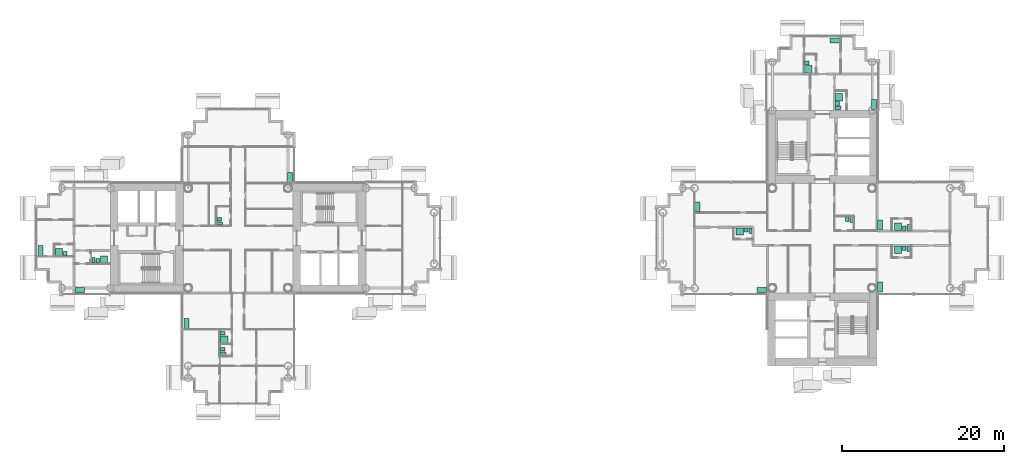
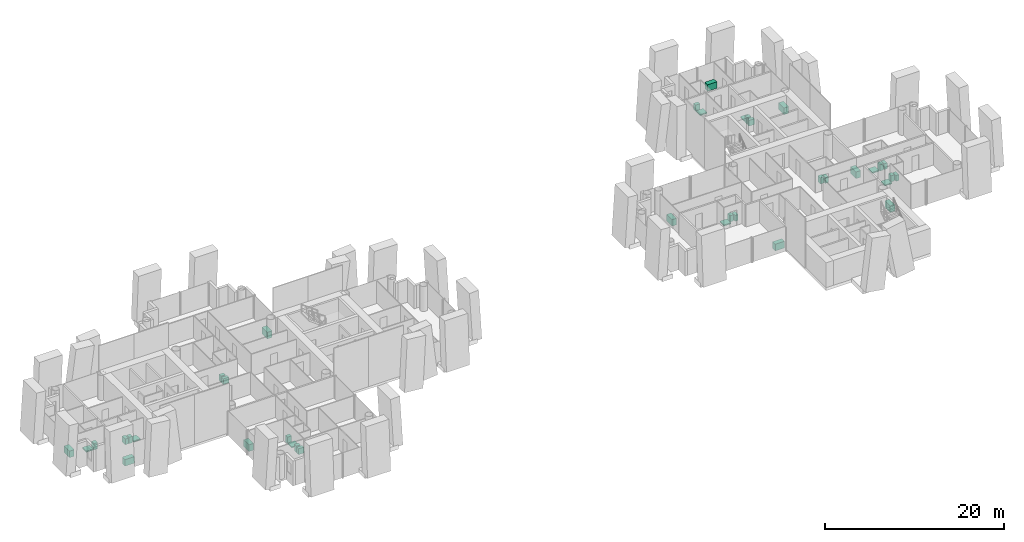
# One storey, part 21 of 21: 37 sanitary terminals.
"""IFC4 building model written with IfcOpenShell, lengths in metres."""

from ifc_helpers import new_model, si_unit, direction, frame, origin, origin_2d, place, context, subcontext, project, spatial, rectangle, extrude, material, type_object, element, save


model = new_model("IFC4")

# Units and contexts
model_context = context("Model", 3, precision=1e-05, world=origin(), true_north=direction((0.0, 1.0)))
body_context = subcontext(model_context, "Body", "Model", "MODEL_VIEW")
ifc_project = project(units=[si_unit("LENGTHUNIT", "METRE"), si_unit("AREAUNIT", "SQUARE_METRE"), si_unit("VOLUMEUNIT", "CUBIC_METRE"), si_unit("PLANEANGLEUNIT", "RADIAN"), si_unit("MASSUNIT", "GRAM", prefix="KILO")], contexts=[model_context])

# Site, building, storey
site_placement = place(None, origin())
site = spatial("IfcSite", under=ifc_project, at=site_placement, CompositionType="ELEMENT")
building_placement = place(site_placement, origin())
building = spatial("IfcBuilding", under=site, at=building_placement, Name="Ipe Terrace Towers", CompositionType="ELEMENT")
storey_placement = place(building_placement, frame((0.0, 0.0, 86.800048828125)))
storey = spatial("IfcBuildingStorey", under=building, at=storey_placement, Name="L23", CompositionType="ELEMENT", Elevation=86.800048828125)

# Sanitary terminals
ifc_material_1 = material(Name="Stainless sink unit", Category="metal")
sanitary_terminal_type_1 = type_object("IfcSanitaryTerminalType", Name="Kitchen sink unit", PredefinedType="SINK", material=ifc_material_1)
for number, where, z_axis, x_axis, name in (
    (1, (-29.6201171875, 7.469970703125, 0.0), (0.0, 0.0, 1.0), (0.0, -1.0, 0.0), "Kitchen sink unit"),
    (2, (-42.3798828125, -10.530029296875, 0.0), (0.0, 0.0, 1.0), (0.0, 1.0, 0.0), "Kitchen sink unit"),
    (3, (-55.530029296875, -6.3798828125, 0.0), (0.0, 0.0, 1.0), (-1.0, 0.0, 0.0), "Kitchen sink unit"),
    (4, (-60.3798828125, -1.530029296875, 0.0), (0.0, 0.0, 1.0), (0.0, 1.0, 0.0), "Kitchen sink unit"),
    (5, (28.530029296875, -6.3798828125, 0.0), (0.0, 0.0, 1.0), (-1.0, 0.0, 0.0), "Kitchen sink unit"),
    (6, (20.6201171875, 3.8701171875, 0.0), (0.0, 0.0, 1.0), (0.0, 1.0, 0.0), "Kitchen sink unit"),
    (7, (43.1201171875, 1.6201171875, 0.0), (0.0, 0.0, 1.0), (0.0, 1.0, 0.0), "Kitchen sink unit"),
    (8, (43.1201171875, -6.030029296875, 0.0), (0.0, 0.0, 1.0), (0.0, 1.0, 0.0), "Kitchen sink unit"),
    (9, (42.3798828125, 16.469970703125, 0.0), (0.0, 0.0, 1.0), (0.0, -1.0, 0.0), "Kitchen sink unit"),
    (10, (37.530029296875, 24.3798828125, 0.0), (0.0, 0.0, 1.0), (1.0, 0.0, 0.0), "Kitchen sink unit"),
):
    element("IfcSanitaryTerminal", number, at=place(storey_placement, frame(where, z_axis=z_axis, x_axis=x_axis)), inside=storey, type_object=sanitary_terminal_type_1, Name=name, PredefinedType="SINK", context=body_context, shape_type="SweptSolid", body=[
        extrude(rectangle(XDim=1.199951171875, YDim=0.60009765625, at=origin_2d()), origin(), (0.0, 0.0, 1.0), 0.89990234375),
    ])
ifc_material_2 = material(Name="Acrylic", Category="plastic")
sanitary_terminal_type_2 = type_object("IfcSanitaryTerminalType", Name="Shower tray", PredefinedType="SHOWER", material=ifc_material_2)
for number, where, z_axis, x_axis, name in (
    (11, (-37.72998046875, -12.47998046875, 0.0), (0.0, 0.0, 1.0), (1.0, 0.0, 0.0), "Shower tray"),
    (12, (-52.530029296875, -2.6298828125, 0.0), (0.0, 0.0, 1.0), (0.0, 1.0, 0.0), "Shower tray"),
    (13, (-58.080078125, -1.72998046875, 0.0), (0.0, 0.0, 1.0), (0.0, 1.0, 0.0), "Shower tray"),
    (14, (25.830078125, 0.830078125, 0.0), (0.0, 0.0, 1.0), (0.0, -1.0, 0.0), "Shower tray"),
    (15, (45.330078125, 1.419921875, 0.0), (0.0, 0.0, 1.0), (0.0, 1.0, 0.0), "Shower tray"),
    (16, (45.330078125, -1.419921875, 0.0), (0.0, 0.0, 1.0), (0.0, -1.0, 0.0), "Shower tray"),
    (17, (38.02001953125, 17.3701171875, 0.0), (0.0, 0.0, 1.0), (1.0, 0.0, 0.0), "Shower tray"),
    (18, (34.27001953125, 20.820068359375, 0.0), (0.0, 0.0, 1.0), (1.0, 0.0, 0.0), "Shower tray"),
):
    element("IfcSanitaryTerminal", number, at=place(storey_placement, frame(where, z_axis=z_axis, x_axis=x_axis)), inside=storey, type_object=sanitary_terminal_type_2, Name=name, PredefinedType="SHOWER", context=body_context, shape_type="SweptSolid", body=[
        extrude(rectangle(XDim=0.89990234375, YDim=0.89990234375, at=origin_2d()), origin(), (0.0, 0.0, 1.0), 0.14990234375),
    ])
ifc_material_3 = material(Name="Vitreous china", Category="ceramic")
sanitary_terminal_type_3 = type_object("IfcSanitaryTerminalType", Name="Wash basin", PredefinedType="WASHHANDBASIN", material=ifc_material_3)
for number, where, z_axis, x_axis, name in (
    (19, (-38.35498046875, 2.344970703125, 0.0), (0.0, 0.0, 1.0), (1.0, 0.0, 0.0), "Wash basin"),
    (20, (-37.905029296875, -11.705078125, 0.0), (0.0, 0.0, 1.0), (1.0, 0.0, 0.0), "Wash basin"),
    (21, (-37.905029296875, -13.705078125, 0.0), (0.0, 0.0, 1.0), (1.0, 0.0, 0.0), "Wash basin"),
    (22, (-53.304931640625, -2.804931640625, 0.0), (0.0, 0.0, 1.0), (0.0, 1.0, 0.0), "Wash basin"),
    (23, (-57.304931640625, -1.905029296875, 0.0), (0.0, 0.0, 1.0), (0.0, 1.0, 0.0), "Wash basin"),
    (24, (39.054931640625, 2.35498046875, 0.0), (0.0, 0.0, 1.0), (0.0, -1.0, 0.0), "Wash basin"),
    (25, (26.60498046875, 1.0048828125, 0.0), (0.0, 0.0, 1.0), (0.0, -1.0, 0.0), "Wash basin"),
    (26, (46.10498046875, 1.2451171875, 0.0), (0.0, 0.0, 1.0), (0.0, 1.0, 0.0), "Wash basin"),
    (27, (46.10498046875, -1.2451171875, 0.0), (0.0, 0.0, 1.0), (0.0, -1.0, 0.0), "Wash basin"),
    (28, (37.844970703125, 16.594970703125, 0.0), (0.0, 0.0, 1.0), (1.0, 0.0, 0.0), "Wash basin"),
    (29, (34.094970703125, 21.594970703125, 0.0), (0.0, 0.0, 1.0), (1.0, 0.0, 0.0), "Wash basin"),
):
    element("IfcSanitaryTerminal", number, at=place(storey_placement, frame(where, z_axis=z_axis, x_axis=x_axis)), inside=storey, type_object=sanitary_terminal_type_3, Name=name, PredefinedType="WASHHANDBASIN", context=body_context, shape_type="SweptSolid", body=[
        extrude(rectangle(XDim=0.550048828125, YDim=0.449951171875, at=origin_2d()), origin(), (0.0, 0.0, 1.0), 0.85009765625),
    ])
ifc_material_4 = material(Name="Vitreous china", Category="ceramic")
sanitary_terminal_type_4 = type_object("IfcSanitaryTerminalType", Name="Water closet", PredefinedType="TOILETPAN", material=ifc_material_4)
for number, where, z_axis, x_axis, name in (
    (30, (-38.280029296875, 1.820068359375, 0.0), (0.0, 0.0, 1.0), (1.0, 0.0, 0.0), "Water closet"),
    (31, (-37.830078125, -14.22998046875, 0.0), (0.0, 0.0, 1.0), (1.0, 0.0, 0.0), "Water closet"),
    (32, (-53.830078125, -2.72998046875, 0.0), (0.0, 0.0, 1.0), (0.0, 1.0, 0.0), "Water closet"),
    (33, (39.580078125, 2.280029296875, 0.0), (0.0, 0.0, 1.0), (0.0, -1.0, 0.0), "Water closet"),
    (34, (27.1298828125, 0.929931640625, 0.0), (0.0, 0.0, 1.0), (0.0, -1.0, 0.0), "Water closet"),
    (35, (46.6298828125, 1.320068359375, 0.0), (0.0, 0.0, 1.0), (0.0, 1.0, 0.0), "Water closet"),
    (36, (46.6298828125, -1.320068359375, 0.0), (0.0, 0.0, 1.0), (0.0, -1.0, 0.0), "Water closet"),
    (37, (37.919921875, 16.070068359375, 0.0), (0.0, 0.0, 1.0), (1.0, 0.0, 0.0), "Water closet"),
):
    element("IfcSanitaryTerminal", number, at=place(storey_placement, frame(where, z_axis=z_axis, x_axis=x_axis)), inside=storey, type_object=sanitary_terminal_type_4, Name=name, PredefinedType="TOILETPAN", context=body_context, shape_type="SweptSolid", body=[
        extrude(rectangle(XDim=0.699951171875, YDim=0.39990234375, at=origin_2d()), origin(), (0.0, 0.0, 1.0), 0.780029296875),
    ])

save(model, "model.ifc")
